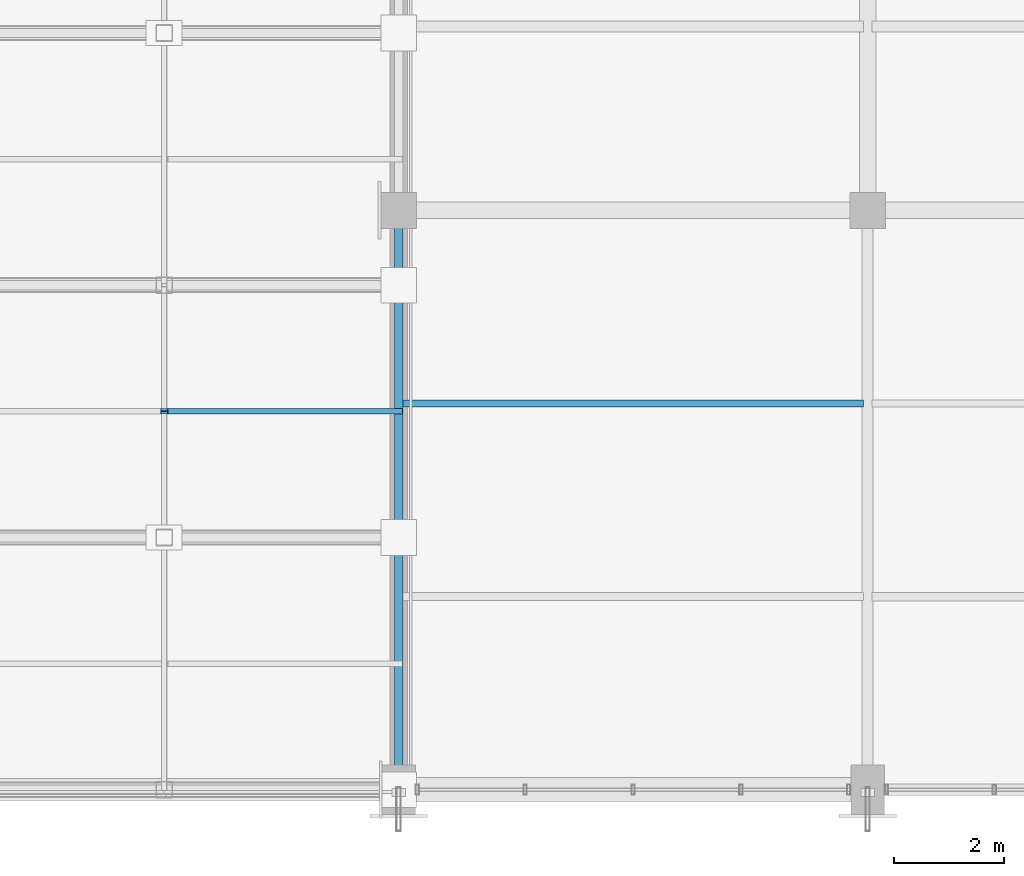
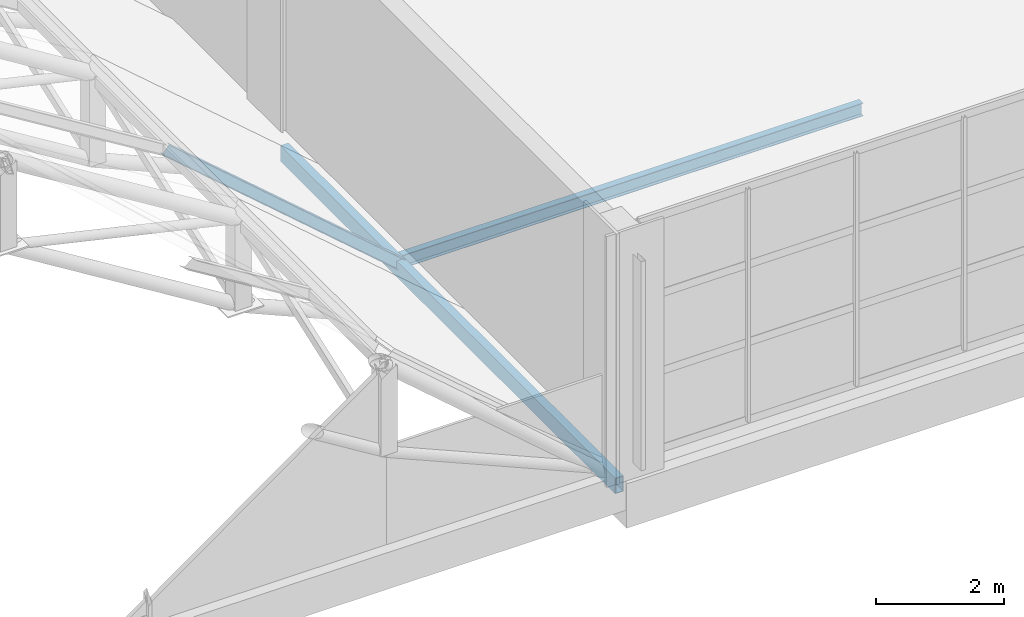
# One storey, part 18 of 86: 2 beams, 1 member.
"""IFC4 building model written with IfcOpenShell, lengths in metres."""

from ifc_helpers import new_model, si_unit, direction, frame, origin, origin_2d, place, context, subcontext, project, spatial, hollow_rectangle, i_section, extrude, material, material_profile, profile_set, type_object, element, save


model = new_model("IFC4")

# Units and contexts
model_context = context("Model", 3, precision=1e-05, world=origin(), true_north=direction((0.0, 1.0)))
body_context = subcontext(model_context, "Body", "Model", "MODEL_VIEW")
ifc_project = project(units=[si_unit("LENGTHUNIT", "METRE"), si_unit("AREAUNIT", "SQUARE_METRE"), si_unit("VOLUMEUNIT", "CUBIC_METRE"), si_unit("PLANEANGLEUNIT", "RADIAN"), si_unit("MASSUNIT", "GRAM", prefix="KILO")], contexts=[model_context])

# Site, building, storey
site_placement = place(None, origin())
site = spatial("IfcSite", under=ifc_project, at=site_placement, CompositionType="ELEMENT")
building_placement = place(site_placement, origin())
building = spatial("IfcBuilding", under=site, at=building_placement, Name="Solvikara Media Centre", CompositionType="ELEMENT")
storey_placement = place(building_placement, frame((0.0, 0.0, 15.0)))
storey = spatial("IfcBuildingStorey", under=building, at=storey_placement, Name="L03", CompositionType="ELEMENT", Elevation=15.0)

# Beams
ifc_material = material(Name="Steel S355JR", Category="steel")
ifc_material_profile_1 = material_profile(ifc_material, hollow_rectangle(XDim=0.14990234375, YDim=0.300048828125, WallThickness=0.010009765625, at=origin_2d()), Name="RHS 300x150x10")
ifc_profile_set_1 = profile_set([ifc_material_profile_1], Name="Steel S355JR")
beam_type_1 = type_object("IfcBeamType", Name="BM-35", PredefinedType="BEAM", material=ifc_profile_set_1)
beam_1_placement = place(storey_placement, frame((34.0, 0.0, -0.431884765625), z_axis=(0.0, 1.0, 0.0), x_axis=(-1.0, 0.0, 0.0)))
element("IfcBeam", 1, at=beam_1_placement, inside=storey, type_object=beam_type_1, Name="B-L03-Y1253", PredefinedType="BEAM", context=body_context, shape_type="SweptSolid", body=[
    extrude(hollow_rectangle(XDim=0.14990234375, YDim=0.300048828125, WallThickness=0.010009765625, at=origin_2d()), origin(), (0.0, 0.0, 1.0), 10.5),
])
ifc_material_profile_2 = material_profile(ifc_material, i_section(OverallWidth=0.1240234375, OverallDepth=0.248046875, WebThickness=0.0048828125, FlangeThickness=0.008056640625, at=origin_2d()), Name="WF 248x124x5x8")
ifc_profile_set_2 = profile_set([ifc_material_profile_2], Name="Steel S355JR")
beam_type_2 = type_object("IfcBeamType", Name="BM-40", PredefinedType="JOIST", material=ifc_profile_set_2)
beam_2_placement = place(storey_placement, frame((34.077880859375, 7.0, -0.406005859375), z_axis=(1.0, 0.0, 0.0), x_axis=(0.0, 1.0, 0.0)))
element("IfcBeam", 2, at=beam_2_placement, inside=storey, type_object=beam_type_2, Name="J-L03-1376", PredefinedType="JOIST", context=body_context, shape_type="SweptSolid", body=[
    extrude(i_section(OverallWidth=0.1240234375, OverallDepth=0.248046875, WebThickness=0.0048828125, FlangeThickness=0.008056640625, at=origin_2d()), origin(), (0.0, 0.0, 1.0), 8.34423828125),
])

# Member
ifc_material_profile_3 = material_profile(ifc_material, i_section(OverallWidth=0.10009765625, OverallDepth=0.199951171875, WebThickness=0.005615234375, FlangeThickness=0.008056640625, at=origin_2d()), Name="WF 200x100x5.5x8")
ifc_profile_set_3 = profile_set([ifc_material_profile_3], Name="Steel S355JR")
member_type = type_object("IfcMemberType", Name="MB-21", PredefinedType="PURLIN", material=ifc_profile_set_3)
member_placement = place(storey_placement, frame((29.75, 6.85693359375, 3.31494140625), z_axis=(0.756418370394, 0.0, -0.654088104868), x_axis=(0.0, 1.0, 0.0)))
element("IfcMember", 3, at=member_placement, inside=storey, type_object=member_type, Name="GC-SUB-01-07", PredefinedType="PURLIN", context=body_context, shape_type="SweptSolid", body=[
    extrude(i_section(OverallWidth=0.10009765625, OverallDepth=0.199951171875, WebThickness=0.005615234375, FlangeThickness=0.008056640625, at=origin_2d()), origin(), (0.0, 0.0, 1.0), 5.61865234375),
])

save(model, "model.ifc")
